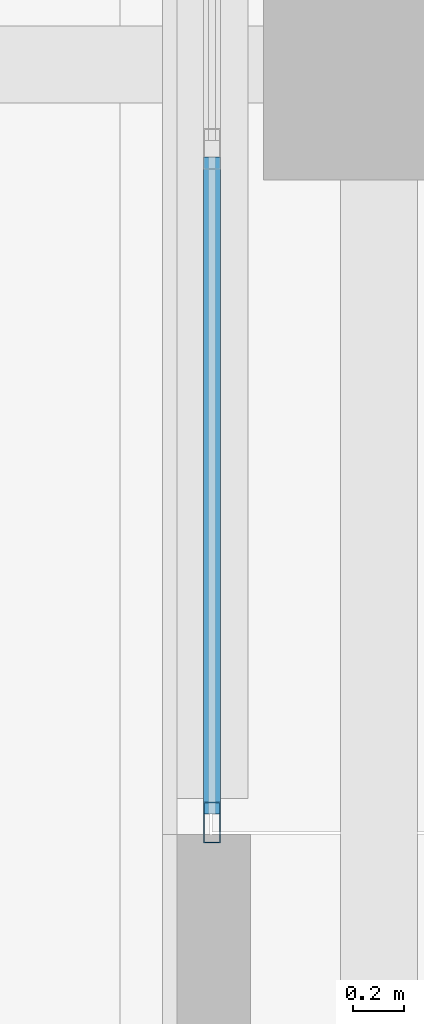
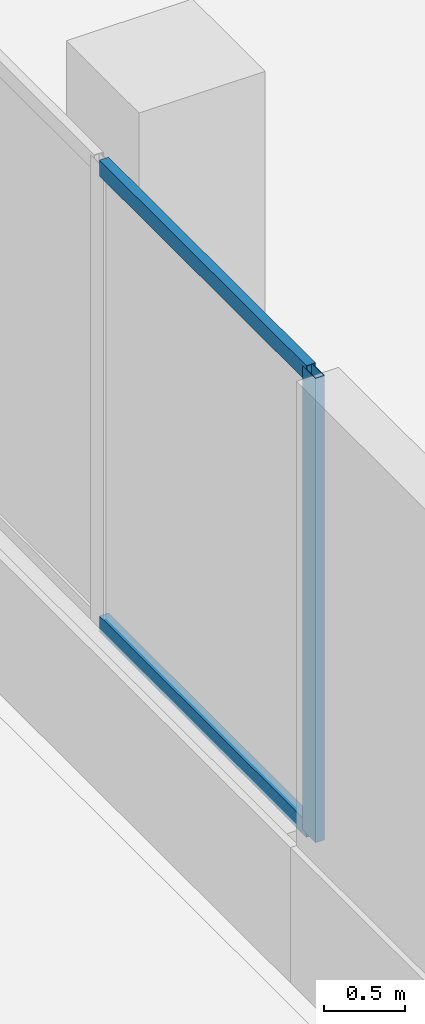
# One storey, part 68 of 168: 3 members, 1 element without a shape of its own.
"""IFC4 building model written with IfcOpenShell, lengths in metres."""

from ifc_helpers import new_model, si_unit, direction, frame, origin, origin_2d, place, context, subcontext, project, spatial, hollow_rectangle, extrude, material, material_profile, profile_set, type_object, element, aggregate, save


model = new_model("IFC4")

# Units and contexts
model_context = context("Model", 3, precision=1e-05, world=origin(), true_north=direction((0.0, 1.0)))
body_context = subcontext(model_context, "Body", "Model", "MODEL_VIEW")
ifc_project = project(units=[si_unit("LENGTHUNIT", "METRE"), si_unit("AREAUNIT", "SQUARE_METRE"), si_unit("VOLUMEUNIT", "CUBIC_METRE"), si_unit("PLANEANGLEUNIT", "RADIAN"), si_unit("MASSUNIT", "GRAM", prefix="KILO")], contexts=[model_context])

# Site, building, storey
site_placement = place(None, origin())
site = spatial("IfcSite", under=ifc_project, at=site_placement, CompositionType="ELEMENT")
building_placement = place(site_placement, origin())
building = spatial("IfcBuilding", under=site, at=building_placement, Name="Selatvlak General Hospital", CompositionType="ELEMENT")
storey_placement = place(building_placement, frame((0.0, 0.0, 5.39990234375)))
storey = spatial("IfcBuildingStorey", under=building, at=storey_placement, Name="L01", CompositionType="ELEMENT", Elevation=5.39990234375)

# Curtain wall, members
ifc_material_1 = material(Name="Solar-control Low-E double glazing", Category="glass")
curtain_wall_type = type_object("IfcCurtainWallType", Name="CW-CW-01", PredefinedType="USERDEFINED", material=ifc_material_1)
curtain_wall_placement = place(storey_placement, origin())
curtain_wall = element("IfcCurtainWall", 1, at=curtain_wall_placement, inside=storey, type_object=curtain_wall_type, Name="Glazed facade curtain wall CW-L01-0108", ObjectType="UNITISED CURTAIN WALL", PredefinedType="USERDEFINED")
ifc_material_2 = material(Name="Dark anodised aluminium mullion", Category="aluminium")
ifc_material_profile_1 = material_profile(ifc_material_2, hollow_rectangle(XDim=0.06494140625, YDim=0.159912109375, WallThickness=0.00390625, at=origin_2d()), Name="AL-MUL 65x160x4")
ifc_profile_set_1 = profile_set([ifc_material_profile_1], Name="Dark anodised aluminium mullion")
member_type_1 = type_object("IfcMemberType", Name="CWM-01", PredefinedType="MULLION", material=ifc_profile_set_1)
member_1_placement = place(storey_placement, frame((14.39990234375, 88.04638671875, 0.940185546875), z_axis=(0.0, 0.0, 1.0), x_axis=(-1.0, 0.0, 0.0)))
member_1 = element("IfcMember", 2, at=member_1_placement, type_object=member_type_1, Name="CW-01 mullion 1", PredefinedType="MULLION", context=body_context, shape_type="SweptSolid", body=[
    extrude(hollow_rectangle(XDim=0.06494140625, YDim=0.159912109375, WallThickness=0.00390625, at=origin_2d()), origin(), (0.0, 0.0, 1.0), 3.5048828125),
])
ifc_material_profile_2 = material_profile(ifc_material_2, hollow_rectangle(XDim=0.06494140625, YDim=0.1201171875, WallThickness=0.00390625, at=origin_2d()), Name="AL-TRN 65x120x4")
ifc_profile_set_2 = profile_set([ifc_material_profile_2], Name="Dark anodised aluminium mullion")
member_type_2 = type_object("IfcMemberType", Name="CWT-01", PredefinedType="USERDEFINED", material=ifc_profile_set_2)
member_2_placement = place(storey_placement, frame((14.39990234375, 88.0791015625, 0.97265625), z_axis=(0.0, 1.0, 0.0), x_axis=(-1.0, 0.0, 0.0)))
member_2 = element("IfcMember", 3, at=member_2_placement, type_object=member_type_2, Name="CW-01 transom 1.1", ObjectType="TRANSOM", PredefinedType="USERDEFINED", context=body_context, shape_type="SweptSolid", body=[
    extrude(hollow_rectangle(XDim=0.06494140625, YDim=0.1201171875, WallThickness=0.00390625, at=origin_2d()), origin(), (0.0, 0.0, 1.0), 2.55908203125),
])
member_3_placement = place(storey_placement, frame((14.39990234375, 88.0791015625, 4.41259765625), z_axis=(0.0, 1.0, 0.0), x_axis=(-1.0, 0.0, 0.0)))
member_3 = element("IfcMember", 4, at=member_3_placement, type_object=member_type_2, Name="CW-01 transom 1.2", ObjectType="TRANSOM", PredefinedType="USERDEFINED", context=body_context, shape_type="SweptSolid", body=[
    extrude(hollow_rectangle(XDim=0.06494140625, YDim=0.1201171875, WallThickness=0.00390625, at=origin_2d()), origin(), (0.0, 0.0, 1.0), 2.55908203125),
])
aggregate(curtain_wall, [member_1, member_2, member_3])

save(model, "model.ifc")
